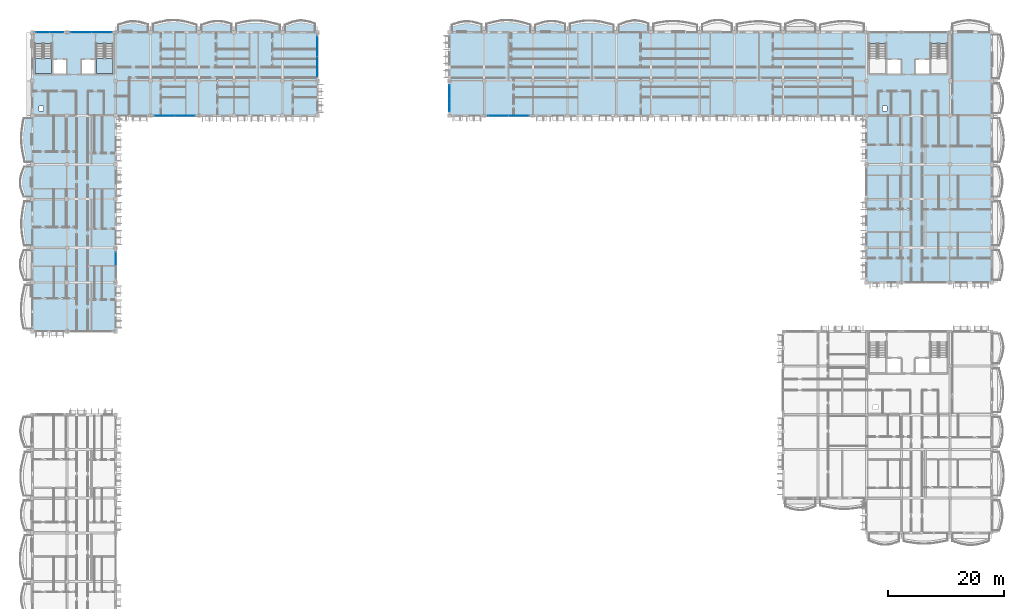
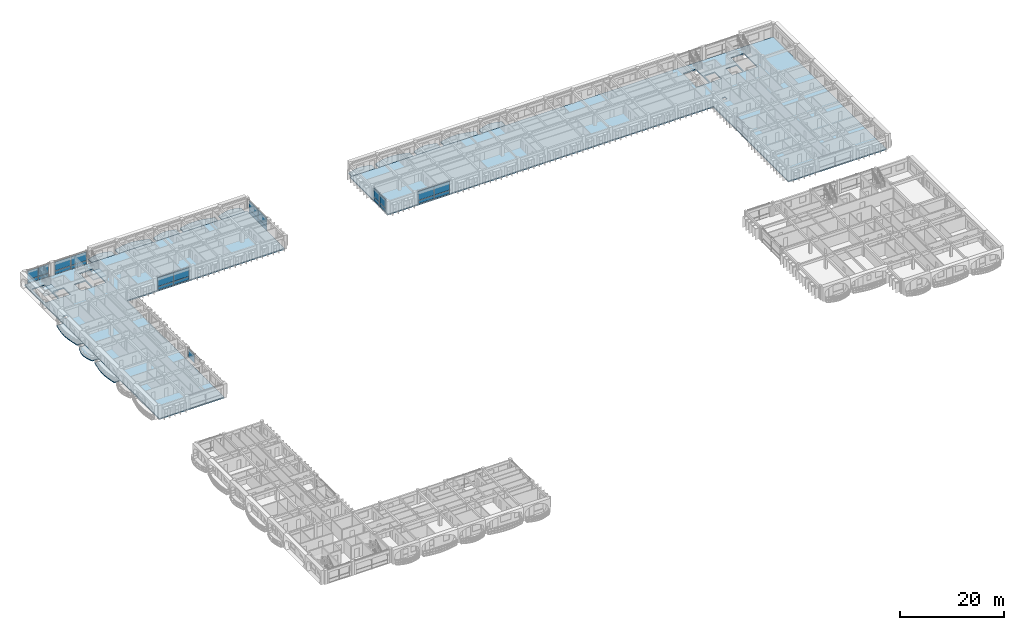
# One storey, part 20 of 76: 25 plates, 17 slabs, 9 elements without a shape of their own.
"""IFC4 building model written with IfcOpenShell, lengths in metres."""

from ifc_helpers import new_model, si_unit, direction, frame, origin, origin_2d, place, context, subcontext, project, spatial, polyline, rectangle, outline, extrude, material, layer, layer_set, type_object, element, aggregate, save


model = new_model("IFC4")

# Units and contexts
model_context = context("Model", 3, precision=1e-05, world=origin(), true_north=direction((0.0, 1.0)))
body_context = subcontext(model_context, "Body", "Model", "MODEL_VIEW")
ifc_project = project(units=[si_unit("LENGTHUNIT", "METRE"), si_unit("AREAUNIT", "SQUARE_METRE"), si_unit("VOLUMEUNIT", "CUBIC_METRE"), si_unit("PLANEANGLEUNIT", "RADIAN"), si_unit("MASSUNIT", "GRAM", prefix="KILO"), si_unit("THERMODYNAMICTEMPERATUREUNIT", "KELVIN")], contexts=[model_context])

# Site, building, storey
site_placement = place(None, origin())
site = spatial("IfcSite", under=ifc_project, at=site_placement, CompositionType="ELEMENT")
building_placement = place(site_placement, origin())
building = spatial("IfcBuilding", under=site, at=building_placement, Name="Thalorik Housing Commons", CompositionType="ELEMENT")
storey_placement = place(building_placement, frame((0.0, 0.0, 18.0)))
storey = spatial("IfcBuildingStorey", under=building, at=storey_placement, Name="L05", CompositionType="ELEMENT", Elevation=18.0)

# Curtain wall, plates
ifc_material_1 = material(Name="Anodised aluminium and solar-control low-E glass", Category="aluminium")
curtain_wall_type_1 = type_object("IfcCurtainWallType", Name="ARC-CW-LOUNGE", PredefinedType="USERDEFINED", material=ifc_material_1)
curtain_wall_1_placement = place(storey_placement, origin())
curtain_wall_1 = element("IfcCurtainWall", 1, at=curtain_wall_1_placement, inside=storey, type_object=curtain_wall_type_1, Name="L05 Curtain Wall CW-RES-L05-A-020", ObjectType="CURTAIN WALL", PredefinedType="USERDEFINED")
ifc_material_2 = material(Name="Cobalt blue enamelled aluminium spandrel panel", Category="aluminium")
ifc_layer_1 = layer(ifc_material_2, 0.0458984375, Name="Cobalt blue enamelled aluminium spandrel panel", Category="aluminium")
ifc_layer_set_1 = layer_set([ifc_layer_1], Name="Cobalt blue enamelled aluminium spandrel panel")
plate_type_1 = type_object("IfcPlateType", Name="ARC-CP-BLU-46", PredefinedType="CURTAIN_PANEL", material=ifc_layer_set_1)
plate_1_placement = place(storey_placement, frame((31.25, 109.199951171875, 0.080078125), z_axis=(0.0, 0.0, 1.0), x_axis=(1.0, 0.0, 0.0)))
plate_1 = element("IfcPlate", 2, at=plate_1_placement, type_object=plate_type_1, Name="CW-RES-L05-A-020 Spandrel Panel 1", PredefinedType="CURTAIN_PANEL", context=body_context, shape_type="SweptSolid", body=[
    extrude(rectangle(XDim=3.43994140625, YDim=0.0458984375, at=origin_2d()), origin(), (0.0, 0.0, 1.0), 0.760009765625),
])
plate_2_placement = place(storey_placement, frame((34.75, 109.199951171875, 0.080078125), z_axis=(0.0, 0.0, 1.0), x_axis=(1.0, 0.0, 0.0)))
plate_2 = element("IfcPlate", 3, at=plate_2_placement, type_object=plate_type_1, Name="CW-RES-L05-A-020 Spandrel Panel 2", PredefinedType="CURTAIN_PANEL", context=body_context, shape_type="SweptSolid", body=[
    extrude(rectangle(XDim=3.43994140625, YDim=0.0458984375, at=origin_2d()), origin(), (0.0, 0.0, 1.0), 0.760009765625),
])

curtain_wall_type_2 = type_object("IfcCurtainWallType", Name="ARC-CW-CORE", PredefinedType="USERDEFINED", material=ifc_material_1)
curtain_wall_2_placement = place(storey_placement, origin())
curtain_wall_2 = element("IfcCurtainWall", 4, at=curtain_wall_2_placement, inside=storey, type_object=curtain_wall_type_2, Name="L05 Curtain Wall CW-CORE-L05-A-024", ObjectType="CURTAIN WALL", PredefinedType="USERDEFINED")
plate_3_placement = place(storey_placement, frame((12.574951171875, 123.60009765625, 0.080078125), z_axis=(0.0, 0.0, 1.0), x_axis=(-1.0, 0.0, 0.0)))
plate_3 = element("IfcPlate", 5, at=plate_3_placement, type_object=plate_type_1, Name="CW-CORE-L05-A-024 Spandrel Panel 1", PredefinedType="CURTAIN_PANEL", context=body_context, shape_type="SweptSolid", body=[
    extrude(rectangle(XDim=2.2900390625, YDim=0.0458984375, at=origin_2d()), origin(), (0.0, 0.0, 1.0), 0.760009765625),
])
plate_4_placement = place(storey_placement, frame((10.22509765625, 123.60009765625, 0.080078125), z_axis=(0.0, 0.0, 1.0), x_axis=(-1.0, 0.0, 0.0)))
plate_4 = element("IfcPlate", 6, at=plate_4_placement, type_object=plate_type_1, Name="CW-CORE-L05-A-024 Spandrel Panel 2", PredefinedType="CURTAIN_PANEL", context=body_context, shape_type="SweptSolid", body=[
    extrude(rectangle(XDim=2.2900390625, YDim=0.0458984375, at=origin_2d()), origin(), (0.0, 0.0, 1.0), 0.760009765625),
])

curtain_wall_3_placement = place(storey_placement, origin())
curtain_wall_3 = element("IfcCurtainWall", 7, at=curtain_wall_3_placement, inside=storey, type_object=curtain_wall_type_1, Name="L05 Curtain Wall CW-RES-L05-B-095", ObjectType="CURTAIN WALL", PredefinedType="USERDEFINED")
plate_5_placement = place(storey_placement, frame((88.85009765625, 109.199951171875, 0.080078125), z_axis=(0.0, 0.0, 1.0), x_axis=(1.0, 0.0, 0.0)))
plate_5 = element("IfcPlate", 8, at=plate_5_placement, type_object=plate_type_1, Name="CW-RES-L05-B-095 Spandrel Panel 1", PredefinedType="CURTAIN_PANEL", context=body_context, shape_type="SweptSolid", body=[
    extrude(rectangle(XDim=3.43994140625, YDim=0.0458984375, at=origin_2d()), origin(), (0.0, 0.0, 1.0), 0.760009765625),
])
plate_6_placement = place(storey_placement, frame((92.35009765625, 109.199951171875, 0.080078125), z_axis=(0.0, 0.0, 1.0), x_axis=(1.0, 0.0, 0.0)))
plate_6 = element("IfcPlate", 9, at=plate_6_placement, type_object=plate_type_1, Name="CW-RES-L05-B-095 Spandrel Panel 2", PredefinedType="CURTAIN_PANEL", context=body_context, shape_type="SweptSolid", body=[
    extrude(rectangle(XDim=3.43994140625, YDim=0.0458984375, at=origin_2d()), origin(), (0.0, 0.0, 1.0), 0.760009765625),
])

# Plate
ifc_material_3 = material(Name="Double solar-control low-E glass", Category="glass")
ifc_layer_2 = layer(ifc_material_3, 0.028076171875, Name="Double solar-control low-E glass", Category="glass")
ifc_layer_set_2 = layer_set([ifc_layer_2], Name="Double solar-control low-E glass")
plate_type_2 = type_object("IfcPlateType", Name="ARC-CP-GLZ-28", PredefinedType="CURTAIN_PANEL", material=ifc_layer_set_2)
plate_7_placement = place(storey_placement, frame((31.25, 109.199951171875, 0.919921875), z_axis=(0.0, 0.0, 1.0), x_axis=(1.0, 0.0, 0.0)))
plate_7 = element("IfcPlate", 10, at=plate_7_placement, type_object=plate_type_2, Name="CW-RES-L05-A-020 Vision Panel 1", PredefinedType="CURTAIN_PANEL", context=body_context, shape_type="SweptSolid", body=[
    extrude(rectangle(XDim=3.43994140625, YDim=0.028076171875, at=origin_2d()), origin(), (0.0, 0.0, 1.0), 2.0400390625),
])

plate_8_placement = place(storey_placement, frame((34.75, 109.199951171875, 0.919921875), z_axis=(0.0, 0.0, 1.0), x_axis=(1.0, 0.0, 0.0)))
plate_8 = element("IfcPlate", 11, at=plate_8_placement, type_object=plate_type_2, Name="CW-RES-L05-A-020 Vision Panel 2", PredefinedType="CURTAIN_PANEL", context=body_context, shape_type="SweptSolid", body=[
    extrude(rectangle(XDim=3.43994140625, YDim=0.028076171875, at=origin_2d()), origin(), (0.0, 0.0, 1.0), 2.0400390625),
])

aggregate(curtain_wall_1, [plate_1, plate_7, plate_2, plate_8])

# Curtain wall, plates
curtain_wall_4_placement = place(storey_placement, origin())
curtain_wall_4 = element("IfcCurtainWall", 12, at=curtain_wall_4_placement, inside=storey, type_object=curtain_wall_type_1, Name="L05 Curtain Wall CW-RES-L05-A-021", ObjectType="CURTAIN WALL", PredefinedType="USERDEFINED")
plate_9_placement = place(storey_placement, frame((57.60009765625, 117.64990234375, 0.919921875), z_axis=(0.0, 0.0, 1.0), x_axis=(0.0, 1.0, 0.0)))
plate_9 = element("IfcPlate", 13, at=plate_9_placement, type_object=plate_type_2, Name="CW-RES-L05-A-021 Vision Panel 1", PredefinedType="CURTAIN_PANEL", context=body_context, shape_type="SweptSolid", body=[
    extrude(rectangle(XDim=3.43994140625, YDim=0.028076171875, at=origin_2d()), origin(), (0.0, 0.0, 1.0), 2.0400390625),
])
plate_10_placement = place(storey_placement, frame((57.60009765625, 121.14990234375, 0.919921875), z_axis=(0.0, 0.0, 1.0), x_axis=(0.0, 1.0, 0.0)))
plate_10 = element("IfcPlate", 14, at=plate_10_placement, type_object=plate_type_2, Name="CW-RES-L05-A-021 Vision Panel 2", PredefinedType="CURTAIN_PANEL", context=body_context, shape_type="SweptSolid", body=[
    extrude(rectangle(XDim=3.43994140625, YDim=0.028076171875, at=origin_2d()), origin(), (0.0, 0.0, 1.0), 2.0400390625),
])

curtain_wall_5_placement = place(storey_placement, origin())
curtain_wall_5 = element("IfcCurtainWall", 15, at=curtain_wall_5_placement, inside=storey, type_object=curtain_wall_type_2, Name="L05 Curtain Wall CW-CORE-L05-A-023", ObjectType="CURTAIN WALL", PredefinedType="USERDEFINED")
plate_11_placement = place(storey_placement, frame((20.375, 123.60009765625, 0.919921875), z_axis=(0.0, 0.0, 1.0), x_axis=(-1.0, 0.0, 0.0)))
plate_11 = element("IfcPlate", 16, at=plate_11_placement, type_object=plate_type_2, Name="CW-CORE-L05-A-023 Vision Panel 1", PredefinedType="CURTAIN_PANEL", context=body_context, shape_type="SweptSolid", body=[
    extrude(rectangle(XDim=3.489990234375, YDim=0.028076171875, at=origin_2d()), origin(), (0.0, 0.0, 1.0), 2.0400390625),
])
plate_12_placement = place(storey_placement, frame((16.824951171875, 123.60009765625, 0.919921875), z_axis=(0.0, 0.0, 1.0), x_axis=(-1.0, 0.0, 0.0)))
plate_12 = element("IfcPlate", 17, at=plate_12_placement, type_object=plate_type_2, Name="CW-CORE-L05-A-023 Vision Panel 2", PredefinedType="CURTAIN_PANEL", context=body_context, shape_type="SweptSolid", body=[
    extrude(rectangle(XDim=3.489990234375, YDim=0.028076171875, at=origin_2d()), origin(), (0.0, 0.0, 1.0), 2.0400390625),
])

# Plate
plate_13_placement = place(storey_placement, frame((12.574951171875, 123.60009765625, 0.919921875), z_axis=(0.0, 0.0, 1.0), x_axis=(-1.0, 0.0, 0.0)))
plate_13 = element("IfcPlate", 18, at=plate_13_placement, type_object=plate_type_2, Name="CW-CORE-L05-A-024 Vision Panel 1", PredefinedType="CURTAIN_PANEL", context=body_context, shape_type="SweptSolid", body=[
    extrude(rectangle(XDim=2.2900390625, YDim=0.028076171875, at=origin_2d()), origin(), (0.0, 0.0, 1.0), 2.0400390625),
])

plate_14_placement = place(storey_placement, frame((10.22509765625, 123.60009765625, 0.919921875), z_axis=(0.0, 0.0, 1.0), x_axis=(-1.0, 0.0, 0.0)))
plate_14 = element("IfcPlate", 19, at=plate_14_placement, type_object=plate_type_2, Name="CW-CORE-L05-A-024 Vision Panel 2", PredefinedType="CURTAIN_PANEL", context=body_context, shape_type="SweptSolid", body=[
    extrude(rectangle(XDim=2.2900390625, YDim=0.028076171875, at=origin_2d()), origin(), (0.0, 0.0, 1.0), 2.0400390625),
])

aggregate(curtain_wall_2, [plate_3, plate_13, plate_4, plate_14])

# Curtain wall, plate
curtain_wall_6_placement = place(storey_placement, origin())
curtain_wall_6 = element("IfcCurtainWall", 20, at=curtain_wall_6_placement, inside=storey, type_object=curtain_wall_type_1, Name="L05 Curtain Wall CW-RES-L05-A-026", ObjectType="CURTAIN WALL", PredefinedType="USERDEFINED")
plate_15_placement = place(storey_placement, frame((22.800048828125, 84.550048828125, 0.919921875), z_axis=(0.0, 0.0, 1.0), x_axis=(0.0, 1.0, 0.0)))
plate_15 = element("IfcPlate", 21, at=plate_15_placement, type_object=plate_type_2, Name="CW-RES-L05-A-026 Vision Panel 2", PredefinedType="CURTAIN_PANEL", context=body_context, shape_type="SweptSolid", body=[
    extrude(rectangle(XDim=2.239990234375, YDim=0.028076171875, at=origin_2d()), origin(), (0.0, 0.0, 1.0), 2.0400390625),
])
aggregate(curtain_wall_6, [plate_15])

# Curtain wall, plates
curtain_wall_7_placement = place(storey_placement, origin())
curtain_wall_7 = element("IfcCurtainWall", 22, at=curtain_wall_7_placement, inside=storey, type_object=curtain_wall_type_1, Name="L05 Curtain Wall CW-RES-L05-B-094", ObjectType="CURTAIN WALL", PredefinedType="USERDEFINED")
plate_16_placement = place(storey_placement, frame((80.39990234375, 113.35009765625, 0.919921875), z_axis=(0.0, 0.0, 1.0), x_axis=(0.0, -1.0, 0.0)))
plate_16 = element("IfcPlate", 23, at=plate_16_placement, type_object=plate_type_2, Name="CW-RES-L05-B-094 Vision Panel 1", PredefinedType="CURTAIN_PANEL", context=body_context, shape_type="SweptSolid", body=[
    extrude(rectangle(XDim=2.239990234375, YDim=0.028076171875, at=origin_2d()), origin(), (0.0, 0.0, 1.0), 2.0400390625),
])
plate_17_placement = place(storey_placement, frame((80.39990234375, 111.050048828125, 0.919921875), z_axis=(0.0, 0.0, 1.0), x_axis=(0.0, -1.0, 0.0)))
plate_17 = element("IfcPlate", 24, at=plate_17_placement, type_object=plate_type_2, Name="CW-RES-L05-B-094 Vision Panel 2", PredefinedType="CURTAIN_PANEL", context=body_context, shape_type="SweptSolid", body=[
    extrude(rectangle(XDim=2.239990234375, YDim=0.028076171875, at=origin_2d()), origin(), (0.0, 0.0, 1.0), 2.0400390625),
])

# Plate
plate_18_placement = place(storey_placement, frame((88.85009765625, 109.199951171875, 0.919921875), z_axis=(0.0, 0.0, 1.0), x_axis=(1.0, 0.0, 0.0)))
plate_18 = element("IfcPlate", 25, at=plate_18_placement, type_object=plate_type_2, Name="CW-RES-L05-B-095 Vision Panel 1", PredefinedType="CURTAIN_PANEL", context=body_context, shape_type="SweptSolid", body=[
    extrude(rectangle(XDim=3.43994140625, YDim=0.028076171875, at=origin_2d()), origin(), (0.0, 0.0, 1.0), 2.0400390625),
])

plate_19_placement = place(storey_placement, frame((92.35009765625, 109.199951171875, 0.919921875), z_axis=(0.0, 0.0, 1.0), x_axis=(1.0, 0.0, 0.0)))
plate_19 = element("IfcPlate", 26, at=plate_19_placement, type_object=plate_type_2, Name="CW-RES-L05-B-095 Vision Panel 2", PredefinedType="CURTAIN_PANEL", context=body_context, shape_type="SweptSolid", body=[
    extrude(rectangle(XDim=3.43994140625, YDim=0.028076171875, at=origin_2d()), origin(), (0.0, 0.0, 1.0), 2.0400390625),
])

aggregate(curtain_wall_3, [plate_5, plate_18, plate_6, plate_19])

ifc_material_4 = material(Name="Oxide red enamelled aluminium spandrel panel", Category="aluminium")
ifc_layer_3 = layer(ifc_material_4, 0.0419921875, Name="Oxide red enamelled aluminium spandrel panel", Category="aluminium")
ifc_layer_set_3 = layer_set([ifc_layer_3], Name="Oxide red enamelled aluminium spandrel panel")
plate_type_3 = type_object("IfcPlateType", Name="ARC-CP-RED-42", PredefinedType="CURTAIN_PANEL", material=ifc_layer_set_3)
plate_20_placement = place(storey_placement, frame((57.60009765625, 117.64990234375, 0.080078125), z_axis=(0.0, 0.0, 1.0), x_axis=(0.0, 1.0, 0.0)))
plate_20 = element("IfcPlate", 27, at=plate_20_placement, type_object=plate_type_3, Name="CW-RES-L05-A-021 Spandrel Panel 1", PredefinedType="CURTAIN_PANEL", context=body_context, shape_type="SweptSolid", body=[
    extrude(rectangle(XDim=3.43994140625, YDim=0.0419921875, at=origin_2d()), origin(), (0.0, 0.0, 1.0), 0.760009765625),
])

plate_21_placement = place(storey_placement, frame((57.60009765625, 121.14990234375, 0.080078125), z_axis=(0.0, 0.0, 1.0), x_axis=(0.0, 1.0, 0.0)))
plate_21 = element("IfcPlate", 28, at=plate_21_placement, type_object=plate_type_3, Name="CW-RES-L05-A-021 Spandrel Panel 2", PredefinedType="CURTAIN_PANEL", context=body_context, shape_type="SweptSolid", body=[
    extrude(rectangle(XDim=3.43994140625, YDim=0.0419921875, at=origin_2d()), origin(), (0.0, 0.0, 1.0), 0.760009765625),
])

aggregate(curtain_wall_4, [plate_20, plate_9, plate_21, plate_10])

plate_22_placement = place(storey_placement, frame((20.375, 123.60009765625, 0.080078125), z_axis=(0.0, 0.0, 1.0), x_axis=(-1.0, 0.0, 0.0)))
plate_22 = element("IfcPlate", 29, at=plate_22_placement, type_object=plate_type_3, Name="CW-CORE-L05-A-023 Spandrel Panel 1", PredefinedType="CURTAIN_PANEL", context=body_context, shape_type="SweptSolid", body=[
    extrude(rectangle(XDim=3.489990234375, YDim=0.0419921875, at=origin_2d()), origin(), (0.0, 0.0, 1.0), 0.760009765625),
])

plate_23_placement = place(storey_placement, frame((16.824951171875, 123.60009765625, 0.080078125), z_axis=(0.0, 0.0, 1.0), x_axis=(-1.0, 0.0, 0.0)))
plate_23 = element("IfcPlate", 30, at=plate_23_placement, type_object=plate_type_3, Name="CW-CORE-L05-A-023 Spandrel Panel 2", PredefinedType="CURTAIN_PANEL", context=body_context, shape_type="SweptSolid", body=[
    extrude(rectangle(XDim=3.489990234375, YDim=0.0419921875, at=origin_2d()), origin(), (0.0, 0.0, 1.0), 0.760009765625),
])

aggregate(curtain_wall_5, [plate_22, plate_11, plate_23, plate_12])

ifc_material_5 = material(Name="Mineral ochre yellow aluminium spandrel panel", Category="aluminium")
ifc_layer_4 = layer(ifc_material_5, 0.050048828125, Name="Mineral ochre yellow aluminium spandrel panel", Category="aluminium")
ifc_layer_set_4 = layer_set([ifc_layer_4], Name="Mineral ochre yellow aluminium spandrel panel")
plate_type_4 = type_object("IfcPlateType", Name="ARC-CP-YEL-50", PredefinedType="CURTAIN_PANEL", material=ifc_layer_set_4)
plate_24_placement = place(storey_placement, frame((80.39990234375, 113.35009765625, 0.080078125), z_axis=(0.0, 0.0, 1.0), x_axis=(0.0, -1.0, 0.0)))
plate_24 = element("IfcPlate", 31, at=plate_24_placement, type_object=plate_type_4, Name="CW-RES-L05-B-094 Spandrel Panel 1", PredefinedType="CURTAIN_PANEL", context=body_context, shape_type="SweptSolid", body=[
    extrude(rectangle(XDim=2.239990234375, YDim=0.050048828125, at=origin_2d()), origin(), (0.0, 0.0, 1.0), 0.760009765625),
])

plate_25_placement = place(storey_placement, frame((80.39990234375, 111.050048828125, 0.080078125), z_axis=(0.0, 0.0, 1.0), x_axis=(0.0, -1.0, 0.0)))
plate_25 = element("IfcPlate", 32, at=plate_25_placement, type_object=plate_type_4, Name="CW-RES-L05-B-094 Spandrel Panel 2", PredefinedType="CURTAIN_PANEL", context=body_context, shape_type="SweptSolid", body=[
    extrude(rectangle(XDim=2.239990234375, YDim=0.050048828125, at=origin_2d()), origin(), (0.0, 0.0, 1.0), 0.760009765625),
])

aggregate(curtain_wall_7, [plate_24, plate_16, plate_25, plate_17])

# Stair, slab
ifc_material_6 = material(Name="Precast concrete C40/50", Category="concrete")
stair_type = type_object("IfcStairType", Name="ARC-STR-1350-R20", PredefinedType="HALF_TURN_STAIR", material=ifc_material_6)
stair_1_placement = place(storey_placement, origin())
stair_1 = element("IfcStair", 33, at=stair_1_placement, inside=storey, type_object=stair_type, Name="L05 Block A Smoke-Proof Stair 1", PredefinedType="HALF_TURN_STAIR")
ifc_layer_5 = layer(ifc_material_6, 0.199951171875, Name="Precast concrete C40/50", Category="concrete")
ifc_layer_set_5 = layer_set([ifc_layer_5], Name="Precast concrete C40/50")
slab_type_1 = type_object("IfcSlabType", Name="ARC-SLB-STLND-200", PredefinedType="LANDING", material=ifc_layer_set_5)
slab_1_placement = place(storey_placement, frame((0.0, 0.0, 1.449951171875)))
slab_1 = element("IfcSlab", 34, at=slab_1_placement, type_object=slab_type_1, Name="ST-A1 landing 1", PredefinedType="LANDING", context=body_context, shape_type="SweptSolid", body=[
    extrude(outline(polyline([(8.85009765625, 119.090087890625), (8.85009765625, 116.449951171875), (11.75, 116.449951171875), (11.75, 119.090087890625), (8.85009765625, 119.090087890625)])), origin(), (0.0, 0.0, 1.0), 0.199951171875),
])
aggregate(stair_1, [slab_1])

stair_2_placement = place(storey_placement, origin())
stair_2 = element("IfcStair", 35, at=stair_2_placement, inside=storey, type_object=stair_type, Name="L05 Block A Smoke-Proof Stair 2", PredefinedType="HALF_TURN_STAIR")
slab_2_placement = place(storey_placement, frame((0.0, 0.0, 1.449951171875)))
slab_2 = element("IfcSlab", 36, at=slab_2_placement, type_object=slab_type_1, Name="ST-A2 landing 1", PredefinedType="LANDING", context=body_context, shape_type="SweptSolid", body=[
    extrude(outline(polyline([(19.449951171875, 119.090087890625), (19.449951171875, 116.449951171875), (22.35009765625, 116.449951171875), (22.35009765625, 119.090087890625), (19.449951171875, 119.090087890625)])), origin(), (0.0, 0.0, 1.0), 0.199951171875),
])
aggregate(stair_2, [slab_2])

# Slabs
ifc_layer_6 = layer(ifc_material_6, 0.199951171875, Name="Precast concrete C40/50", Category="concrete")
ifc_layer_set_6 = layer_set([ifc_layer_6], Name="Precast concrete C40/50")
slab_type_2 = type_object("IfcSlabType", Name="STR-SLB-BALC-200", PredefinedType="FLOOR", material=ifc_layer_set_6)
slab_3_placement = place(storey_placement, frame((0.0, 0.0, -0.199951171875)))
element("IfcSlab", 37, at=slab_3_placement, inside=storey, type_object=slab_type_2, Name="L05 Block A Cushion Balcony 31", PredefinedType="FLOOR", context=body_context, shape_type="SweptSolid", body=[
    extrude(outline(polyline([(23.219970703125, 123.60009765625), (28.3798828125, 123.60009765625), (28.3798828125, 124.947265625), (27.949951171875, 125.084228515625), (27.52001953125, 125.2119140625), (27.090087890625, 125.321044921875), (26.659912109375, 125.4033203125), (26.22998046875, 125.452880859375), (25.800048828125, 125.466064453125), (25.3701171875, 125.44140625), (24.93994140625, 125.380859375), (24.510009765625, 125.2880859375), (24.080078125, 125.169921875), (23.64990234375, 125.03466796875), (23.219970703125, 124.8916015625), (23.219970703125, 123.60009765625)])), origin(), (0.0, 0.0, 1.0), 0.199951171875),
])
slab_4_placement = place(storey_placement, frame((0.0, 0.0, -0.199951171875)))
element("IfcSlab", 38, at=slab_4_placement, inside=storey, type_object=slab_type_2, Name="L05 Block A Cushion Balcony 33", PredefinedType="FLOOR", context=body_context, shape_type="SweptSolid", body=[
    extrude(outline(polyline([(37.6201171875, 123.60009765625), (42.780029296875, 123.60009765625), (42.780029296875, 125.036376953125), (42.35009765625, 125.17529296875), (41.919921875, 125.3017578125), (41.489990234375, 125.406494140625), (41.06005859375, 125.4814453125), (40.6298828125, 125.52099609375), (40.199951171875, 125.521484375), (39.77001953125, 125.482421875), (39.340087890625, 125.406005859375), (38.909912109375, 125.29638671875), (38.47998046875, 125.1611328125), (38.050048828125, 125.009033203125), (37.6201171875, 124.850341796875), (37.6201171875, 123.60009765625)])), origin(), (0.0, 0.0, 1.0), 0.199951171875),
])
slab_5_placement = place(storey_placement, frame((0.0, 0.0, -0.199951171875)))
element("IfcSlab", 39, at=slab_5_placement, inside=storey, type_object=slab_type_2, Name="L05 Block A Cushion Balcony 35", PredefinedType="FLOOR", context=body_context, shape_type="SweptSolid", body=[
    extrude(outline(polyline([(52.02001953125, 123.60009765625), (57.179931640625, 123.60009765625), (57.179931640625, 125.0859375), (56.75, 125.23828125), (56.320068359375, 125.3759765625), (55.889892578125, 125.489013671875), (55.4599609375, 125.56982421875), (55.030029296875, 125.61181640625), (54.60009765625, 125.61181640625), (54.169921875, 125.569091796875), (53.739990234375, 125.485595703125), (53.31005859375, 125.366455078125), (52.8798828125, 125.218994140625), (52.449951171875, 125.052978515625), (52.02001953125, 124.87841796875), (52.02001953125, 123.60009765625)])), origin(), (0.0, 0.0, 1.0), 0.199951171875),
])
slab_6_placement = place(storey_placement, frame((0.0, 0.0, -0.199951171875)))
element("IfcSlab", 40, at=slab_6_placement, inside=storey, type_object=slab_type_2, Name="L05 Block A Cushion Balcony 39", PredefinedType="FLOOR", context=body_context, shape_type="SweptSolid", body=[
    extrude(outline(polyline([(8.39990234375, 95.219970703125), (8.39990234375, 100.3798828125), (7.00927734375, 100.3798828125), (6.82958984375, 99.949951171875), (6.661865234375, 99.52001953125), (6.517578125, 99.090087890625), (6.4052734375, 98.659912109375), (6.332763671875, 98.22998046875), (6.30419921875, 97.800048828125), (6.3212890625, 97.3701171875), (6.3828125, 96.93994140625), (6.484619140625, 96.510009765625), (6.619873046875, 96.080078125), (6.77978515625, 95.64990234375), (6.95361328125, 95.219970703125), (8.39990234375, 95.219970703125)])), origin(), (0.0, 0.0, 1.0), 0.199951171875),
])
slab_7_placement = place(storey_placement, frame((0.0, 0.0, -0.199951171875)))
element("IfcSlab", 41, at=slab_7_placement, inside=storey, type_object=slab_type_2, Name="L05 Block B Cushion Balcony 152", PredefinedType="FLOOR", context=body_context, shape_type="SweptSolid", body=[
    extrude(outline(polyline([(80.820068359375, 123.60009765625), (85.97998046875, 123.60009765625), (85.97998046875, 124.947265625), (85.550048828125, 125.084228515625), (85.1201171875, 125.2119140625), (84.68994140625, 125.321044921875), (84.260009765625, 125.4033203125), (83.830078125, 125.452880859375), (83.39990234375, 125.466064453125), (82.969970703125, 125.44140625), (82.5400390625, 125.380859375), (82.110107421875, 125.2880859375), (81.679931640625, 125.169921875), (81.25, 125.03466796875), (80.820068359375, 124.8916015625), (80.820068359375, 123.60009765625)])), origin(), (0.0, 0.0, 1.0), 0.199951171875),
])
slab_8_placement = place(storey_placement, frame((0.0, 0.0, -0.199951171875)))
element("IfcSlab", 42, at=slab_8_placement, inside=storey, type_object=slab_type_2, Name="L05 Block B Cushion Balcony 154", PredefinedType="FLOOR", context=body_context, shape_type="SweptSolid", body=[
    extrude(outline(polyline([(95.219970703125, 123.60009765625), (100.3798828125, 123.60009765625), (100.3798828125, 125.036376953125), (99.949951171875, 125.17529296875), (99.52001953125, 125.3017578125), (99.090087890625, 125.406494140625), (98.659912109375, 125.4814453125), (98.22998046875, 125.52099609375), (97.800048828125, 125.521484375), (97.3701171875, 125.482421875), (96.93994140625, 125.406005859375), (96.510009765625, 125.29638671875), (96.080078125, 125.1611328125), (95.64990234375, 125.009033203125), (95.219970703125, 124.850341796875), (95.219970703125, 123.60009765625)])), origin(), (0.0, 0.0, 1.0), 0.199951171875),
])
slab_9_placement = place(storey_placement, frame((0.0, 0.0, -0.199951171875)))
element("IfcSlab", 43, at=slab_9_placement, inside=storey, type_object=slab_type_2, Name="L05 Block B Cushion Balcony 156", PredefinedType="FLOOR", context=body_context, shape_type="SweptSolid", body=[
    extrude(outline(polyline([(109.6201171875, 123.60009765625), (114.780029296875, 123.60009765625), (114.780029296875, 125.0859375), (114.35009765625, 125.23828125), (113.919921875, 125.3759765625), (113.489990234375, 125.489013671875), (113.06005859375, 125.56982421875), (112.6298828125, 125.61181640625), (112.199951171875, 125.61181640625), (111.77001953125, 125.569091796875), (111.340087890625, 125.485595703125), (110.909912109375, 125.366455078125), (110.47998046875, 125.218994140625), (110.050048828125, 125.052978515625), (109.6201171875, 124.87841796875), (109.6201171875, 123.60009765625)])), origin(), (0.0, 0.0, 1.0), 0.199951171875),
])
ifc_layer_7 = layer(ifc_material_6, 0.219970703125, Name="Precast concrete C40/50", Category="concrete")
ifc_layer_set_7 = layer_set([ifc_layer_7], Name="Precast concrete C40/50")
slab_type_3 = type_object("IfcSlabType", Name="STR-SLB-BALC-220", PredefinedType="FLOOR", material=ifc_layer_set_7)
slab_10_placement = place(storey_placement, frame((0.0, 0.0, -0.219970703125)))
element("IfcSlab", 44, at=slab_10_placement, inside=storey, type_object=slab_type_3, Name="L05 Block A Cushion Balcony 32", PredefinedType="FLOOR", context=body_context, shape_type="SweptSolid", body=[
    extrude(outline(polyline([(29.219970703125, 123.60009765625), (36.780029296875, 123.60009765625), (36.780029296875, 124.889404296875), (36.14990234375, 125.07470703125), (35.52001953125, 125.25341796875), (34.889892578125, 125.41259765625), (34.260009765625, 125.541748046875), (33.6298828125, 125.63134765625), (33.0, 125.67529296875), (32.3701171875, 125.670654296875), (31.739990234375, 125.617431640625), (31.110107421875, 125.51904296875), (30.47998046875, 125.38232421875), (29.85009765625, 125.216796875), (29.219970703125, 125.03369140625), (29.219970703125, 123.60009765625)])), origin(), (0.0, 0.0, 1.0), 0.219970703125),
])
slab_11_placement = place(storey_placement, frame((0.0, 0.0, -0.219970703125)))
element("IfcSlab", 45, at=slab_11_placement, inside=storey, type_object=slab_type_3, Name="L05 Block A Cushion Balcony 34", PredefinedType="FLOOR", context=body_context, shape_type="SweptSolid", body=[
    extrude(outline(polyline([(43.6201171875, 123.60009765625), (51.179931640625, 123.60009765625), (51.179931640625, 124.85009765625), (50.550048828125, 125.0146484375), (49.919921875, 125.177001953125), (49.2900390625, 125.32568359375), (48.659912109375, 125.45068359375), (48.030029296875, 125.543212890625), (47.39990234375, 125.596435546875), (46.77001953125, 125.607177734375), (46.139892578125, 125.573974609375), (45.510009765625, 125.498779296875), (44.8798828125, 125.38720703125), (44.25, 125.24609375), (43.6201171875, 125.08544921875), (43.6201171875, 123.60009765625)])), origin(), (0.0, 0.0, 1.0), 0.219970703125),
])
slab_12_placement = place(storey_placement, frame((0.0, 0.0, -0.219970703125)))
element("IfcSlab", 46, at=slab_12_placement, inside=storey, type_object=slab_type_3, Name="L05 Block A Cushion Balcony 38", PredefinedType="FLOOR", context=body_context, shape_type="SweptSolid", body=[
    extrude(outline(polyline([(8.39990234375, 86.820068359375), (8.39990234375, 94.3798828125), (7.037109375, 94.3798828125), (6.910888671875, 93.75), (6.79248046875, 93.1201171875), (6.689697265625, 92.489990234375), (6.609619140625, 91.860107421875), (6.5576171875, 91.22998046875), (6.537109375, 90.60009765625), (6.54931640625, 89.969970703125), (6.593505859375, 89.340087890625), (6.6669921875, 88.7099609375), (6.7646484375, 88.080078125), (6.88037109375, 87.449951171875), (7.00634765625, 86.820068359375), (8.39990234375, 86.820068359375)])), origin(), (0.0, 0.0, 1.0), 0.219970703125),
])
slab_13_placement = place(storey_placement, frame((0.0, 0.0, -0.219970703125)))
element("IfcSlab", 47, at=slab_13_placement, inside=storey, type_object=slab_type_3, Name="L05 Block A Cushion Balcony 40", PredefinedType="FLOOR", context=body_context, shape_type="SweptSolid", body=[
    extrude(outline(polyline([(8.39990234375, 101.219970703125), (8.39990234375, 108.780029296875), (6.951416015625, 108.780029296875), (6.820068359375, 108.14990234375), (6.703369140625, 107.52001953125), (6.609130859375, 106.889892578125), (6.543701171875, 106.260009765625), (6.510986328125, 105.6298828125), (6.513427734375, 105.0), (6.55029296875, 104.3701171875), (6.619384765625, 103.739990234375), (6.715576171875, 103.110107421875), (6.83251953125, 102.47998046875), (6.962158203125, 101.85009765625), (7.095703125, 101.219970703125), (8.39990234375, 101.219970703125)])), origin(), (0.0, 0.0, 1.0), 0.219970703125),
])
slab_14_placement = place(storey_placement, frame((0.0, 0.0, -0.219970703125)))
element("IfcSlab", 48, at=slab_14_placement, inside=storey, type_object=slab_type_3, Name="L05 Block B Cushion Balcony 153", PredefinedType="FLOOR", context=body_context, shape_type="SweptSolid", body=[
    extrude(outline(polyline([(86.820068359375, 123.60009765625), (94.3798828125, 123.60009765625), (94.3798828125, 124.889404296875), (93.75, 125.07470703125), (93.1201171875, 125.25341796875), (92.489990234375, 125.41259765625), (91.860107421875, 125.541748046875), (91.22998046875, 125.63134765625), (90.60009765625, 125.67529296875), (89.969970703125, 125.670654296875), (89.340087890625, 125.617431640625), (88.7099609375, 125.51904296875), (88.080078125, 125.38232421875), (87.449951171875, 125.216796875), (86.820068359375, 125.03369140625), (86.820068359375, 123.60009765625)])), origin(), (0.0, 0.0, 1.0), 0.219970703125),
])
slab_15_placement = place(storey_placement, frame((0.0, 0.0, -0.219970703125)))
element("IfcSlab", 49, at=slab_15_placement, inside=storey, type_object=slab_type_3, Name="L05 Block B Cushion Balcony 155", PredefinedType="FLOOR", context=body_context, shape_type="SweptSolid", body=[
    extrude(outline(polyline([(101.219970703125, 123.60009765625), (108.780029296875, 123.60009765625), (108.780029296875, 124.85009765625), (108.14990234375, 125.0146484375), (107.52001953125, 125.177001953125), (106.889892578125, 125.32568359375), (106.260009765625, 125.45068359375), (105.6298828125, 125.543212890625), (105.0, 125.596435546875), (104.3701171875, 125.607177734375), (103.739990234375, 125.573974609375), (103.110107421875, 125.498779296875), (102.47998046875, 125.38720703125), (101.85009765625, 125.24609375), (101.219970703125, 125.08544921875), (101.219970703125, 123.60009765625)])), origin(), (0.0, 0.0, 1.0), 0.219970703125),
])
ifc_material_7 = material(Name="Precast concrete C45/55", Category="concrete")
ifc_layer_8 = layer(ifc_material_7, 0.260009765625, Name="Precast concrete C45/55", Category="concrete")
ifc_layer_set_8 = layer_set([ifc_layer_8], Name="Precast concrete C45/55")
slab_type_4 = type_object("IfcSlabType", Name="STR-SLB-HC-260", PredefinedType="FLOOR", material=ifc_layer_set_8)
slab_16_placement = place(storey_placement, frame((0.0, 0.0, -0.260009765625)))
element("IfcSlab", 50, at=slab_16_placement, inside=storey, type_object=slab_type_4, Name="L05 Residential Block A Floor Slab", PredefinedType="FLOOR", context=body_context, shape_type="SweptSolid", body=[
    extrude(outline(polyline([(8.39990234375, 123.60009765625), (8.39990234375, 109.199951171875), (8.39990234375, 72.0), (22.800048828125, 72.0), (22.800048828125, 109.199951171875), (57.60009765625, 109.199951171875), (57.60009765625, 123.60009765625), (8.39990234375, 123.60009765625)]), holes=[polyline([(8.85009765625, 121.64990234375), (11.75, 121.64990234375), (11.75, 116.449951171875), (8.85009765625, 116.449951171875), (8.85009765625, 121.64990234375)]), polyline([(22.35009765625, 121.64990234375), (22.35009765625, 116.449951171875), (19.449951171875, 116.449951171875), (19.449951171875, 121.64990234375), (22.35009765625, 121.64990234375)]), polyline([(14.39990234375, 119.0), (14.39990234375, 116.449951171875), (12.0, 116.449951171875), (12.0, 119.0), (14.39990234375, 119.0)]), polyline([(19.199951171875, 116.449951171875), (16.800048828125, 116.449951171875), (16.800048828125, 119.0), (19.199951171875, 119.0), (19.199951171875, 116.449951171875)]), polyline([(9.550048828125, 110.050048828125), (9.550048828125, 110.85009765625), (10.35009765625, 110.85009765625), (10.35009765625, 110.050048828125), (9.550048828125, 110.050048828125)])]), origin(), (0.0, 0.0, 1.0), 0.260009765625),
])
slab_17_placement = place(storey_placement, frame((0.0, 0.0, -0.260009765625)))
element("IfcSlab", 51, at=slab_17_placement, inside=storey, type_object=slab_type_4, Name="L05 Residential Block B Floor Slab", PredefinedType="FLOOR", context=body_context, shape_type="SweptSolid", body=[
    extrude(outline(polyline([(80.39990234375, 109.199951171875), (152.39990234375, 109.199951171875), (152.39990234375, 80.39990234375), (174.0, 80.39990234375), (174.0, 109.199951171875), (174.0, 123.60009765625), (80.39990234375, 123.60009765625), (80.39990234375, 109.199951171875)]), holes=[polyline([(152.85009765625, 121.64990234375), (155.75, 121.64990234375), (155.75, 116.449951171875), (152.85009765625, 116.449951171875), (152.85009765625, 121.64990234375)]), polyline([(166.35009765625, 121.64990234375), (166.35009765625, 116.449951171875), (163.449951171875, 116.449951171875), (163.449951171875, 121.64990234375), (166.35009765625, 121.64990234375)]), polyline([(158.39990234375, 119.0), (158.39990234375, 116.449951171875), (156.0, 116.449951171875), (156.0, 119.0), (158.39990234375, 119.0)]), polyline([(163.199951171875, 116.449951171875), (160.800048828125, 116.449951171875), (160.800048828125, 119.0), (163.199951171875, 119.0), (163.199951171875, 116.449951171875)]), polyline([(155.14990234375, 110.050048828125), (155.14990234375, 110.85009765625), (155.949951171875, 110.85009765625), (155.949951171875, 110.050048828125), (155.14990234375, 110.050048828125)])]), origin(), (0.0, 0.0, 1.0), 0.260009765625),
])

save(model, "model.ifc")
